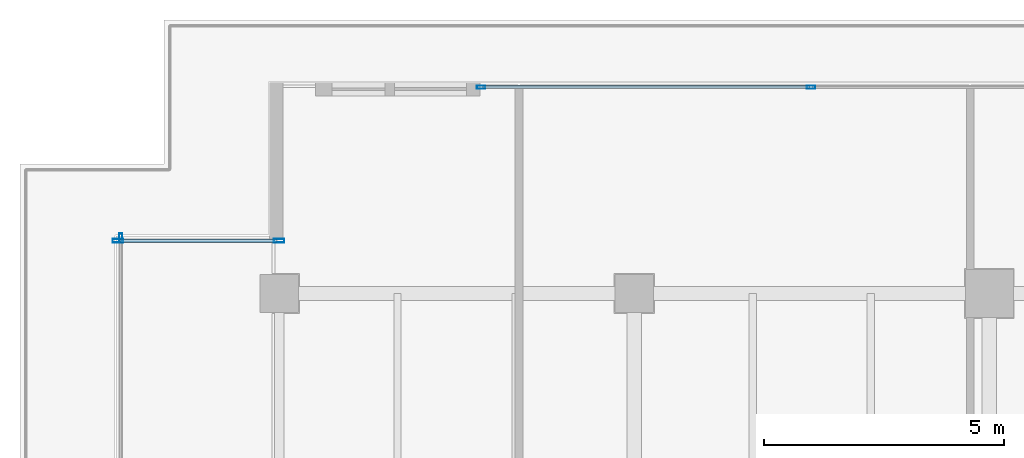
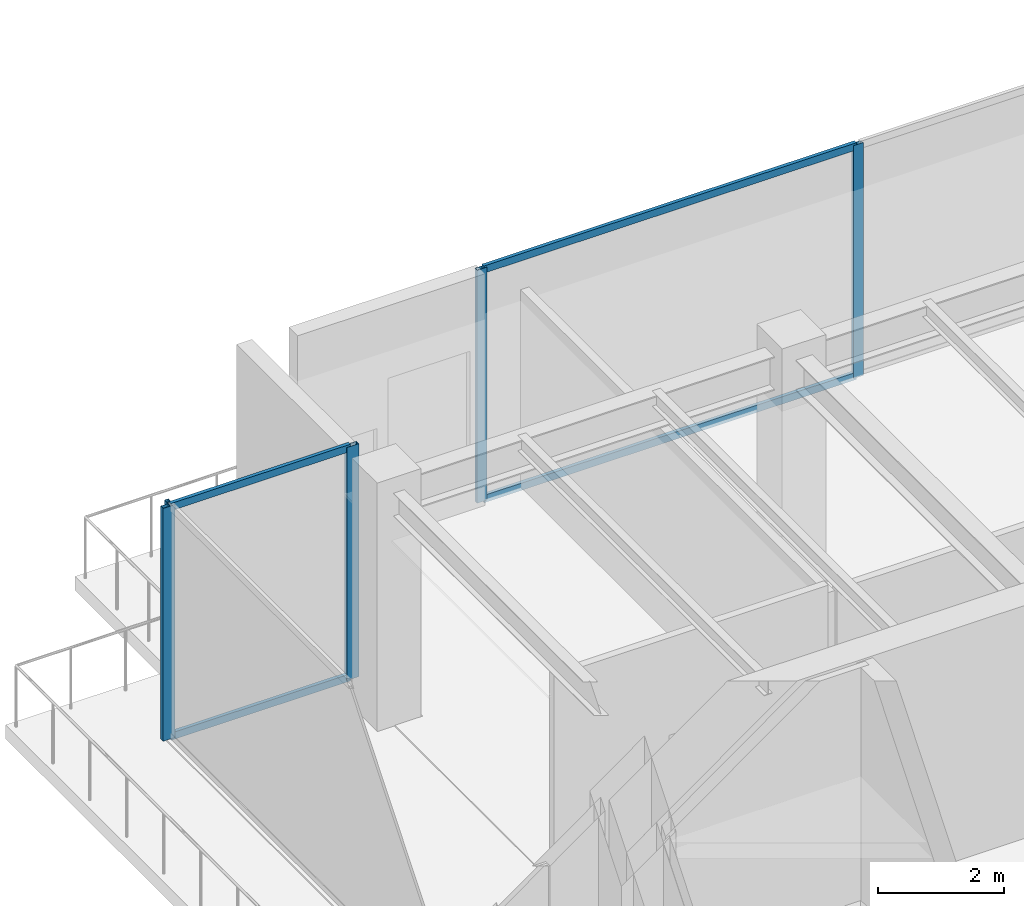
# One storey, part 15 of 37: 9 members, 3 elements without a shape of their own.
"""IFC4 building model written with IfcOpenShell, lengths in metres."""

from ifc_helpers import new_model, si_unit, direction, frame, origin, origin_2d, place, context, subcontext, project, spatial, hollow_rectangle, extrude, source, transform, mapped, material, layer, layer_set, material_profile, profile_set, type_object, type_shapes, element, aggregate, save


model = new_model("IFC4")

# Units and contexts
model_context = context("Model", 3, precision=1e-05, world=origin(), true_north=direction((0.0, 1.0)))
body_context = subcontext(model_context, "Body", "Model", "MODEL_VIEW")
ifc_project = project(units=[si_unit("LENGTHUNIT", "METRE"), si_unit("AREAUNIT", "SQUARE_METRE"), si_unit("VOLUMEUNIT", "CUBIC_METRE"), si_unit("PLANEANGLEUNIT", "RADIAN"), si_unit("MASSUNIT", "GRAM", prefix="KILO")], contexts=[model_context])

# Site, building, storey
site_placement = place(None, origin())
site = spatial("IfcSite", under=ifc_project, at=site_placement, CompositionType="ELEMENT")
building_placement = place(site_placement, origin())
building = spatial("IfcBuilding", under=site, at=building_placement, Name="Haelvirn Gate Laboratories", CompositionType="ELEMENT")
storey_placement = place(building_placement, frame((0.0, 0.0, 196.60009765625)))
storey = spatial("IfcBuildingStorey", under=building, at=storey_placement, Name="L47", CompositionType="ELEMENT", Elevation=196.60009765625)

# Curtain wall, members
ifc_material_1 = material(Name="Anodised bronze unitised aluminium & triple low-E glass", Category="aluminium")
ifc_layer_1 = layer(ifc_material_1, 0.176025390625, Name="CW-SYS-4")
ifc_layer_set_1 = layer_set([ifc_layer_1], Name="Anodised bronze unitised aluminium & triple low-E glass")
curtain_wall_type_1 = type_object("IfcCurtainWallType", Name="CW-SYS-4", PredefinedType="NOTDEFINED", material=ifc_layer_set_1)
curtain_wall_1_placement = place(storey_placement, origin())
curtain_wall_1 = element("IfcCurtainWall", 1, at=curtain_wall_1_placement, inside=storey, type_object=curtain_wall_type_1, Name="L47 Unitised Curtain Wall CW-L47-P0-E14-1", PredefinedType="NOTDEFINED")
ifc_material_2 = material(Name="Extruded aluminium 6063-T6 (anodised bronze)", Category="aluminium")
ifc_material_profile_1 = material_profile(ifc_material_2, hollow_rectangle(XDim=0.070068359375, YDim=0.179931640625, WallThickness=0.0048828125, at=origin_2d()), Name="CWM-180x70x5")
ifc_profile_set_1 = profile_set([ifc_material_profile_1], Name="Extruded aluminium 6063-T6 (anodised bronze)")
member_type_1 = type_object("IfcMemberType", Name="CWM-T180", PredefinedType="MULLION", material=ifc_profile_set_1)
shared_shape_1 = source(origin(), body_context, "Body", "SweptSolid", [
    extrude(hollow_rectangle(XDim=0.070068359375, YDim=0.179931640625, WallThickness=0.0048828125, at=origin_2d()), origin(), (0.0, 0.0, 1.0), 4.5),
])
type_shapes(member_type_1, [shared_shape_1])
member_1_placement = place(storey_placement, frame((11.610107421875, 45.89990234375, 0.0), z_axis=(0.0, 0.0, 1.0), x_axis=(0.0, 1.0, 0.0)))
member_1 = element("IfcMember", 2, at=member_1_placement, type_object=member_type_1, Name="CW4 mullion 1", PredefinedType="MULLION", context=body_context, shape_type="MappedRepresentation", body=[
    mapped(shared_shape_1, transform((0.0, 0.0, 0.0), scale=1.0)),
])
member_2_placement = place(storey_placement, frame((18.487548828125, 45.89990234375, 0.0), z_axis=(0.0, 0.0, 1.0), x_axis=(0.0, 1.0, 0.0)))
member_2 = element("IfcMember", 3, at=member_2_placement, type_object=member_type_1, Name="CW4 mullion 2", PredefinedType="MULLION", context=body_context, shape_type="MappedRepresentation", body=[
    mapped(shared_shape_1, transform((0.0, 0.0, 0.0), scale=1.0)),
])

# Curtain wall, member
curtain_wall_2_placement = place(storey_placement, origin())
curtain_wall_2 = element("IfcCurtainWall", 4, at=curtain_wall_2_placement, inside=storey, type_object=curtain_wall_type_1, Name="L47 Unitised Curtain Wall CW-L47-P0-E17", PredefinedType="NOTDEFINED")
member_3_placement = place(storey_placement, frame((4.10009765625, 42.764892578125, 0.0), z_axis=(0.0, 0.0, 1.0), x_axis=(1.0, 0.0, 0.0)))
member_3 = element("IfcMember", 5, at=member_3_placement, type_object=member_type_1, Name="CW4 mullion 1", PredefinedType="MULLION", context=body_context, shape_type="MappedRepresentation", body=[
    mapped(shared_shape_1, transform((0.0, 0.0, 0.0), scale=1.0)),
])
aggregate(curtain_wall_2, [member_3])

# Curtain wall, members
ifc_layer_2 = layer(ifc_material_1, 0.181884765625, Name="CW-SYS-5")
ifc_layer_set_2 = layer_set([ifc_layer_2], Name="Anodised bronze unitised aluminium & triple low-E glass")
curtain_wall_type_2 = type_object("IfcCurtainWallType", Name="CW-SYS-5", PredefinedType="NOTDEFINED", material=ifc_layer_set_2)
curtain_wall_3_placement = place(storey_placement, origin())
curtain_wall_3 = element("IfcCurtainWall", 6, at=curtain_wall_3_placement, inside=storey, type_object=curtain_wall_type_2, Name="L47 Unitised Curtain Wall CW-L47-P0-E16-1", PredefinedType="NOTDEFINED")
ifc_material_profile_2 = material_profile(ifc_material_2, hollow_rectangle(XDim=0.080078125, YDim=0.219970703125, WallThickness=0.006103515625, at=origin_2d()), Name="CWM-220x80x6")
ifc_profile_set_2 = profile_set([ifc_material_profile_2], Name="Extruded aluminium 6063-T6 (anodised bronze)")
member_type_2 = type_object("IfcMemberType", Name="CWM-T220", PredefinedType="MULLION", material=ifc_profile_set_2)
shared_shape_2 = source(origin(), body_context, "Body", "SweptSolid", [
    extrude(hollow_rectangle(XDim=0.080078125, YDim=0.219970703125, WallThickness=0.006103515625, at=origin_2d()), origin(), (0.0, 0.0, 1.0), 4.5),
])
type_shapes(member_type_2, [shared_shape_2])
member_4_placement = place(storey_placement, frame((4.0400390625, 42.699951171875, 0.0), z_axis=(0.0, 0.0, 1.0), x_axis=(0.0, 1.0, 0.0)))
member_4 = element("IfcMember", 7, at=member_4_placement, type_object=member_type_2, Name="CW5 mullion 1", PredefinedType="MULLION", context=body_context, shape_type="MappedRepresentation", body=[
    mapped(shared_shape_2, transform((0.0, 0.0, 0.0), scale=1.0)),
])
member_5_placement = place(storey_placement, frame((7.39990234375, 42.699951171875, 0.0), z_axis=(0.0, 0.0, 1.0), x_axis=(0.0, 1.0, 0.0)))
member_5 = element("IfcMember", 8, at=member_5_placement, type_object=member_type_2, Name="CW5 mullion 2", PredefinedType="MULLION", context=body_context, shape_type="MappedRepresentation", body=[
    mapped(shared_shape_2, transform((0.0, 0.0, 0.0), scale=1.0)),
])
ifc_material_profile_3 = material_profile(ifc_material_2, hollow_rectangle(XDim=0.06494140625, YDim=0.139892578125, WallThickness=0.00390625, at=origin_2d()), Name="CWT-140x65x4")
ifc_profile_set_3 = profile_set([ifc_material_profile_3], Name="Extruded aluminium 6063-T6 (anodised bronze)")
member_type_3 = type_object("IfcMemberType", Name="CWT-T140", PredefinedType="USERDEFINED", material=ifc_profile_set_3)
shared_shape_3 = source(origin(), body_context, "Body", "SweptSolid", [
    extrude(hollow_rectangle(XDim=0.06494140625, YDim=0.139892578125, WallThickness=0.00390625, at=origin_2d()), origin(), (0.0, 0.0, 1.0), 3.280029296875),
])
member_6_placement = place(storey_placement, frame((4.080078125, 42.699951171875, 0.032470703125), z_axis=(1.0, 0.0, 0.0), x_axis=(0.0, 1.0, 0.0)))
member_6 = element("IfcMember", 9, at=member_6_placement, type_object=member_type_3, Name="CW5 transom 1.1", ObjectType="TRANSOM", PredefinedType="USERDEFINED", context=body_context, shape_type="MappedRepresentation", body=[
    mapped(shared_shape_3, transform((0.0, 0.0, 0.0), scale=1.0)),
])
member_7_placement = place(storey_placement, frame((4.080078125, 42.699951171875, 4.46728515625), z_axis=(1.0, 0.0, 0.0), x_axis=(0.0, 1.0, 0.0)))
member_7 = element("IfcMember", 10, at=member_7_placement, type_object=member_type_3, Name="CW5 transom 1.2", ObjectType="TRANSOM", PredefinedType="USERDEFINED", context=body_context, shape_type="MappedRepresentation", body=[
    mapped(shared_shape_3, transform((0.0, 0.0, 0.0), scale=1.0)),
])
aggregate(curtain_wall_3, [member_4, member_5, member_6, member_7])

# Member
shared_shape_4 = source(origin(), body_context, "Body", "SweptSolid", [
    extrude(hollow_rectangle(XDim=0.06494140625, YDim=0.139892578125, WallThickness=0.00390625, at=origin_2d()), origin(), (0.0, 0.0, 1.0), 6.807373046875),
])
type_shapes(member_type_3, [shared_shape_3, shared_shape_4])
member_8_placement = place(storey_placement, frame((11.64501953125, 45.89990234375, 0.032470703125), z_axis=(1.0, 0.0, 0.0), x_axis=(0.0, 1.0, 0.0)))
member_8 = element("IfcMember", 11, at=member_8_placement, type_object=member_type_3, Name="CW4 transom 1.1", ObjectType="TRANSOM", PredefinedType="USERDEFINED", context=body_context, shape_type="MappedRepresentation", body=[
    mapped(shared_shape_4, transform((0.0, 0.0, 0.0), scale=1.0)),
])

member_9_placement = place(storey_placement, frame((11.64501953125, 45.89990234375, 4.46728515625), z_axis=(1.0, 0.0, 0.0), x_axis=(0.0, 1.0, 0.0)))
member_9 = element("IfcMember", 12, at=member_9_placement, type_object=member_type_3, Name="CW4 transom 1.2", ObjectType="TRANSOM", PredefinedType="USERDEFINED", context=body_context, shape_type="MappedRepresentation", body=[
    mapped(shared_shape_4, transform((0.0, 0.0, 0.0), scale=1.0)),
])

aggregate(curtain_wall_1, [member_1, member_2, member_8, member_9])

save(model, "model.ifc")
